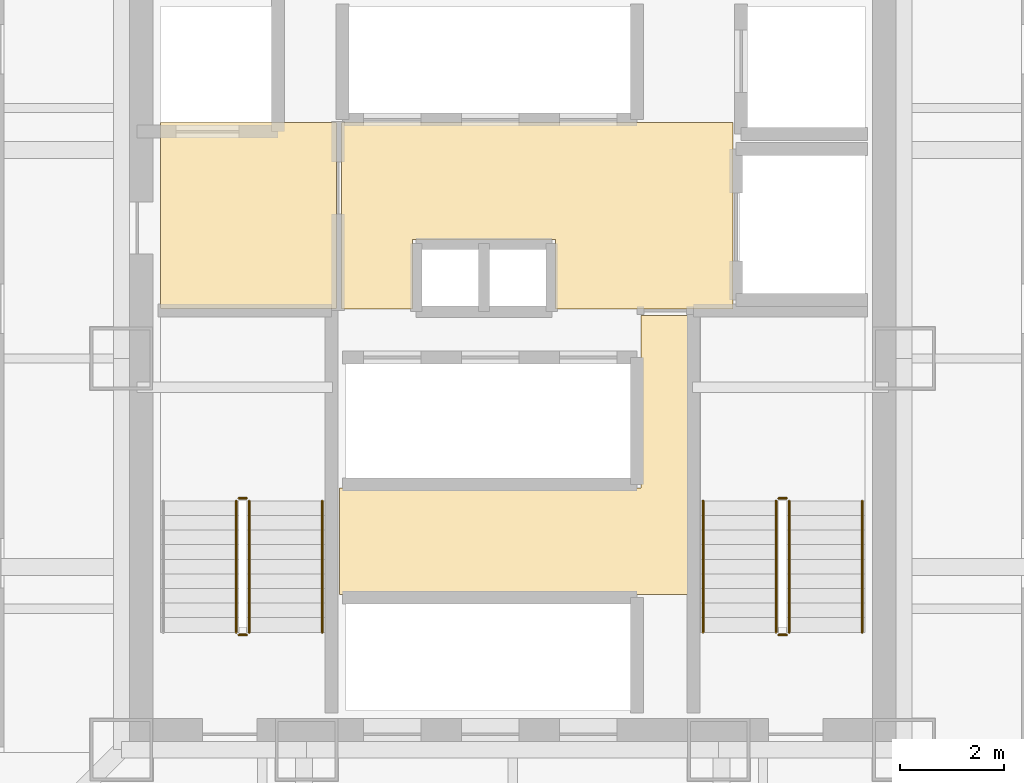
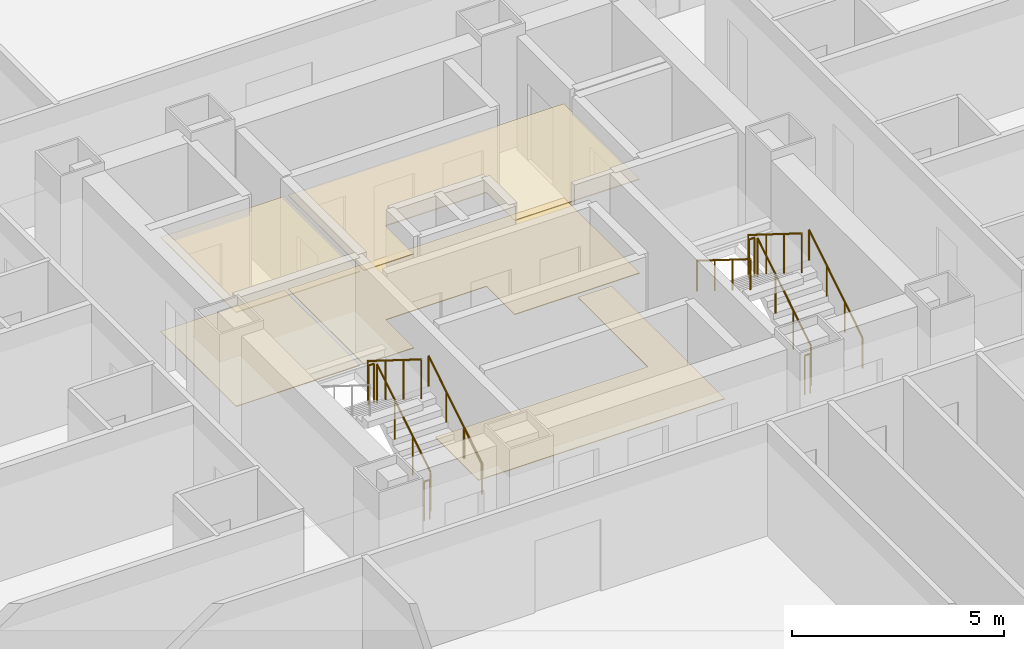
# One storey, part 15 of 16: 11 railings, 5 coverings.
"""IFC4 building model written with IfcOpenShell, lengths in metres."""

from ifc_helpers import new_model, si_unit, direction, frame, origin, origin_2d, place, context, subcontext, project, spatial, polyline, circle, outline, extrude, material, layer, layer_set, type_object, element, save


model = new_model("IFC4")

# Units and contexts
model_context = context("Model", 3, precision=1e-05, world=origin(), true_north=direction((0.0, 1.0)))
body_context = subcontext(model_context, "Body", "Model", "MODEL_VIEW")
ifc_project = project(units=[si_unit("LENGTHUNIT", "METRE"), si_unit("AREAUNIT", "SQUARE_METRE"), si_unit("VOLUMEUNIT", "CUBIC_METRE"), si_unit("PLANEANGLEUNIT", "RADIAN"), si_unit("MASSUNIT", "GRAM", prefix="KILO")], contexts=[model_context])

# Site, building, storey
site_placement = place(None, origin())
site = spatial("IfcSite", under=ifc_project, at=site_placement, CompositionType="ELEMENT")
building_placement = place(site_placement, origin())
building = spatial("IfcBuilding", under=site, at=building_placement, Name="Trevonay Congress Spire", CompositionType="ELEMENT")
storey_placement = place(building_placement, frame((0.0, 0.0, 51.5)))
storey = spatial("IfcBuildingStorey", under=building, at=storey_placement, Name="L12", CompositionType="ELEMENT", Elevation=51.5)

# Coverings
ifc_material_1 = material(Name="Acoustic Mineral Fibre Board", Category="gypsum")
ifc_layer_1 = layer(ifc_material_1, 0.02490234375, Name="Acoustic Mineral Fibre Board")
ifc_layer_set_1 = layer_set([ifc_layer_1], Name="Acoustic Mineral Fibre Board")
covering_type_1 = type_object("IfcCoveringType", Name="COV-CEIL-ACOUSTIC", PredefinedType="CEILING", material=ifc_layer_set_1)
covering_1_placement = place(storey_placement, frame((0.0, 0.0, 2.699951171875)))
element("IfcCovering", 1, at=covering_1_placement, inside=storey, type_object=covering_type_1, Name="L12 Firefighting Lift Lobby West acoustic suspended ceiling", PredefinedType="CEILING", context=body_context, shape_type="SweptSolid", body=[
    extrude(outline(polyline([(-6.75, 0.9599609375), (-3.3798828125, 0.9599609375), (-3.3798828125, 4.52001953125), (-6.75, 4.52001953125), (-6.75, 0.9599609375)])), origin(), (0.0, 0.0, 1.0), 0.025146484375),
])
covering_2_placement = place(storey_placement, frame((0.0, 0.0, 2.699951171875)))
element("IfcCovering", 2, at=covering_2_placement, inside=storey, type_object=covering_type_1, Name="L12 Central and High-Rise Passenger Lift Lobby acoustic suspended ceiling", PredefinedType="CEILING", context=body_context, shape_type="SweptSolid", body=[
    extrude(outline(polyline([(-3.280029296875, 0.949951171875), (-1.919921875, 0.949951171875), (-1.919921875, 2.280029296875), (0.820068359375, 2.280029296875), (0.820068359375, 0.949951171875), (4.219970703125, 0.949951171875), (4.219970703125, 4.52001953125), (-3.280029296875, 4.52001953125), (-3.280029296875, 0.949951171875)])), origin(), (0.0, 0.0, 1.0), 0.025146484375),
])
ifc_material_2 = material(Name="Polished Granite Floor Tile", Category="masonry")
ifc_layer_2 = layer(ifc_material_2, 0.02001953125, Name="Polished Granite Floor Tile")
ifc_layer_set_2 = layer_set([ifc_layer_2], Name="Polished Granite Floor Tile")
covering_type_2 = type_object("IfcCoveringType", Name="COV-FLOOR-STONE", PredefinedType="FLOORING", material=ifc_layer_set_2)
covering_3_placement = place(storey_placement, origin())
element("IfcCovering", 3, at=covering_3_placement, inside=storey, type_object=covering_type_2, Name="L12 Firefighting Lift Lobby West floor finish", PredefinedType="FLOORING", context=body_context, shape_type="SweptSolid", body=[
    extrude(outline(polyline([(-6.75, 0.9599609375), (-3.3798828125, 0.9599609375), (-3.3798828125, 4.52001953125), (-6.75, 4.52001953125), (-6.75, 0.9599609375)])), origin(), (0.0, 0.0, 1.0), 0.02001953125),
])
covering_4_placement = place(storey_placement, origin())
element("IfcCovering", 4, at=covering_4_placement, inside=storey, type_object=covering_type_2, Name="L12 Central and High-Rise Passenger Lift Lobby floor finish", PredefinedType="FLOORING", context=body_context, shape_type="SweptSolid", body=[
    extrude(outline(polyline([(-3.280029296875, 0.949951171875), (-1.919921875, 0.949951171875), (-1.919921875, 2.280029296875), (0.820068359375, 2.280029296875), (0.820068359375, 0.949951171875), (4.219970703125, 0.949951171875), (4.219970703125, 4.52001953125), (-3.280029296875, 4.52001953125), (-3.280029296875, 0.949951171875)])), origin(), (0.0, 0.0, 1.0), 0.02001953125),
])
covering_5_placement = place(storey_placement, origin())
element("IfcCovering", 5, at=covering_5_placement, inside=storey, type_object=covering_type_2, Name="L12 Core MEP Metering Room floor finish", PredefinedType="FLOORING", context=body_context, shape_type="SweptSolid", body=[
    extrude(outline(polyline([(-3.320068359375, -4.52001953125), (3.3798828125, -4.52001953125), (3.3798828125, 0.820068359375), (2.4599609375, 0.820068359375), (2.4599609375, -2.47998046875), (-3.320068359375, -2.47998046875), (-3.320068359375, -4.52001953125)])), origin(), (0.0, 0.0, 1.0), 0.02001953125),
])

# Railings
ifc_material_3 = material(Name="Pale Anodised Aluminium EN AW-6063-T6", Category="aluminium")
railing_type_1 = type_object("IfcRailingType", Name="RAL-STAIR-GUARD-110", PredefinedType="GUARDRAIL", material=ifc_material_3)
railing_1_placement = place(storey_placement, frame((-5.050048828125, -5.25, 0.175048828125)))
element("IfcRailing", 6, at=railing_1_placement, inside=storey, type_object=railing_type_1, Name="L12 ST-1 stair guard 1", PredefinedType="GUARDRAIL", context=body_context, shape_type="SweptSolid", body=[
    extrude(circle(Radius=0.02392578125, at=origin_2d()), frame((0.0, 0.0, 1.1259765625), z_axis=(0.0, 0.848007534815, 0.529984170421), x_axis=(-1.0, 0.0, 0.0)), (0.0, 0.0, 1.0), 2.9716796875),
    extrude(circle(Radius=0.02099609375, at=origin_2d()), origin(), (0.0, 0.0, 1.0), 1.101806640625),
    extrude(circle(Radius=0.02099609375, at=origin_2d()), frame((0.0, 0.840087890625, 0.52490234375)), (0.0, 0.0, 1.0), 1.101806640625),
    extrude(circle(Radius=0.02099609375, at=origin_2d()), frame((0.0, 1.679931640625, 1.050048828125)), (0.0, 0.0, 1.0), 1.101806640625),
    extrude(circle(Radius=0.02099609375, at=origin_2d()), frame((0.0, 2.52001953125, 1.574951171875)), (0.0, 0.0, 1.0), 1.101806640625),
])
railing_2_placement = place(storey_placement, frame((-5.10009765625, -2.679931640625, 1.75)))
element("IfcRailing", 7, at=railing_2_placement, inside=storey, type_object=railing_type_1, Name="L12 ST-1 stair guard 2", PredefinedType="GUARDRAIL", context=body_context, shape_type="SweptSolid", body=[
    extrude(circle(Radius=0.02392578125, at=origin_2d()), frame((0.0, 0.0, 1.1259765625), z_axis=(-1.0, 0.0, 0.0), x_axis=(0.0, -1.0, 0.0)), (0.0, 0.0, 1.0), 0.14990234375),
    extrude(circle(Radius=0.02099609375, at=origin_2d()), origin(), (0.0, 0.0, 1.0), 1.101806640625),
    extrude(circle(Radius=0.02099609375, at=origin_2d()), frame((-0.14990234375, 0.0, 0.0)), (0.0, 0.0, 1.0), 1.101806640625),
])
railing_3_placement = place(storey_placement, frame((-5.300048828125, -2.72998046875, 1.925048828125)))
element("IfcRailing", 8, at=railing_3_placement, inside=storey, type_object=railing_type_1, Name="L12 ST-1 stair guard 3", PredefinedType="GUARDRAIL", context=body_context, shape_type="SweptSolid", body=[
    extrude(circle(Radius=0.02392578125, at=origin_2d()), frame((0.0, 0.0, 1.1259765625), z_axis=(0.0, -0.848007534815, 0.529984170421), x_axis=(1.0, 0.0, 0.0)), (0.0, 0.0, 1.0), 2.9716796875),
    extrude(circle(Radius=0.02099609375, at=origin_2d()), origin(), (0.0, 0.0, 1.0), 1.101806640625),
    extrude(circle(Radius=0.02099609375, at=origin_2d()), frame((0.0, -0.840087890625, 0.52490234375)), (0.0, 0.0, 1.0), 1.101806640625),
    extrude(circle(Radius=0.02099609375, at=origin_2d()), frame((0.0, -1.679931640625, 1.050048828125)), (0.0, 0.0, 1.0), 1.101806640625),
    extrude(circle(Radius=0.02099609375, at=origin_2d()), frame((0.0, -2.52001953125, 1.574951171875)), (0.0, 0.0, 1.0), 1.101806640625),
])
railing_4_placement = place(storey_placement, frame((-5.10009765625, -5.300048828125, 0.0)))
element("IfcRailing", 9, at=railing_4_placement, inside=storey, type_object=railing_type_1, Name="L12 ST-1 stair guard 4", PredefinedType="GUARDRAIL", context=body_context, shape_type="SweptSolid", body=[
    extrude(circle(Radius=0.02392578125, at=origin_2d()), frame((0.0, 0.0, 1.1259765625), z_axis=(-1.0, 0.0, 0.0), x_axis=(0.0, -1.0, 0.0)), (0.0, 0.0, 1.0), 0.14990234375),
    extrude(circle(Radius=0.02099609375, at=origin_2d()), origin(), (0.0, 0.0, 1.0), 1.101806640625),
    extrude(circle(Radius=0.02099609375, at=origin_2d()), frame((-0.14990234375, 0.0, 0.0)), (0.0, 0.0, 1.0), 1.101806640625),
])
railing_5_placement = place(storey_placement, frame((5.300048828125, -5.25, 0.175048828125)))
element("IfcRailing", 10, at=railing_5_placement, inside=storey, type_object=railing_type_1, Name="L12 ST-2 stair guard 1", PredefinedType="GUARDRAIL", context=body_context, shape_type="SweptSolid", body=[
    extrude(circle(Radius=0.02392578125, at=origin_2d()), frame((0.0, 0.0, 1.1259765625), z_axis=(0.0, 0.848007534815, 0.529984170421), x_axis=(-1.0, 0.0, 0.0)), (0.0, 0.0, 1.0), 2.9716796875),
    extrude(circle(Radius=0.02099609375, at=origin_2d()), origin(), (0.0, 0.0, 1.0), 1.101806640625),
    extrude(circle(Radius=0.02099609375, at=origin_2d()), frame((0.0, 0.840087890625, 0.52490234375)), (0.0, 0.0, 1.0), 1.101806640625),
    extrude(circle(Radius=0.02099609375, at=origin_2d()), frame((0.0, 1.679931640625, 1.050048828125)), (0.0, 0.0, 1.0), 1.101806640625),
    extrude(circle(Radius=0.02099609375, at=origin_2d()), frame((0.0, 2.52001953125, 1.574951171875)), (0.0, 0.0, 1.0), 1.101806640625),
])
railing_6_placement = place(storey_placement, frame((5.25, -2.679931640625, 1.75)))
element("IfcRailing", 11, at=railing_6_placement, inside=storey, type_object=railing_type_1, Name="L12 ST-2 stair guard 2", PredefinedType="GUARDRAIL", context=body_context, shape_type="SweptSolid", body=[
    extrude(circle(Radius=0.02392578125, at=origin_2d()), frame((0.0, 0.0, 1.1259765625), z_axis=(-1.0, 0.0, 0.0), x_axis=(0.0, -1.0, 0.0)), (0.0, 0.0, 1.0), 0.14990234375),
    extrude(circle(Radius=0.02099609375, at=origin_2d()), origin(), (0.0, 0.0, 1.0), 1.101806640625),
    extrude(circle(Radius=0.02099609375, at=origin_2d()), frame((-0.14990234375, 0.0, 0.0)), (0.0, 0.0, 1.0), 1.101806640625),
])
railing_7_placement = place(storey_placement, frame((5.050048828125, -2.72998046875, 1.925048828125)))
element("IfcRailing", 12, at=railing_7_placement, inside=storey, type_object=railing_type_1, Name="L12 ST-2 stair guard 3", PredefinedType="GUARDRAIL", context=body_context, shape_type="SweptSolid", body=[
    extrude(circle(Radius=0.02392578125, at=origin_2d()), frame((0.0, 0.0, 1.1259765625), z_axis=(0.0, -0.848007534815, 0.529984170421), x_axis=(1.0, 0.0, 0.0)), (0.0, 0.0, 1.0), 2.9716796875),
    extrude(circle(Radius=0.02099609375, at=origin_2d()), origin(), (0.0, 0.0, 1.0), 1.101806640625),
    extrude(circle(Radius=0.02099609375, at=origin_2d()), frame((0.0, -0.840087890625, 0.52490234375)), (0.0, 0.0, 1.0), 1.101806640625),
    extrude(circle(Radius=0.02099609375, at=origin_2d()), frame((0.0, -1.679931640625, 1.050048828125)), (0.0, 0.0, 1.0), 1.101806640625),
    extrude(circle(Radius=0.02099609375, at=origin_2d()), frame((0.0, -2.52001953125, 1.574951171875)), (0.0, 0.0, 1.0), 1.101806640625),
])
railing_8_placement = place(storey_placement, frame((5.25, -5.300048828125, 0.0)))
element("IfcRailing", 13, at=railing_8_placement, inside=storey, type_object=railing_type_1, Name="L12 ST-2 stair guard 4", PredefinedType="GUARDRAIL", context=body_context, shape_type="SweptSolid", body=[
    extrude(circle(Radius=0.02392578125, at=origin_2d()), frame((0.0, 0.0, 1.1259765625), z_axis=(-1.0, 0.0, 0.0), x_axis=(0.0, -1.0, 0.0)), (0.0, 0.0, 1.0), 0.14990234375),
    extrude(circle(Radius=0.02099609375, at=origin_2d()), origin(), (0.0, 0.0, 1.0), 1.101806640625),
    extrude(circle(Radius=0.02099609375, at=origin_2d()), frame((-0.14990234375, 0.0, 0.0)), (0.0, 0.0, 1.0), 1.101806640625),
])
railing_type_2 = type_object("IfcRailingType", Name="RAL-STAIR-HANDRAIL", PredefinedType="HANDRAIL", material=ifc_material_3)
for number, where, name in (
    (14, (-3.64990234375, -5.25, 0.175048828125), "L12 ST-1 stair handrail 1"),
    (15, (6.699951171875, -5.25, 0.175048828125), "L12 ST-2 stair handrail 1"),
):
    element("IfcRailing", number, at=place(storey_placement, frame(where)), inside=storey, type_object=railing_type_2, Name=name, PredefinedType="HANDRAIL", context=body_context, shape_type="SweptSolid", body=[
        extrude(circle(Radius=0.02392578125, at=origin_2d()), frame((0.0, 0.0, 0.8759765625), z_axis=(0.0, 0.848007534815, 0.529984170421), x_axis=(-1.0, 0.0, 0.0)), (0.0, 0.0, 1.0), 2.9716796875),
        extrude(circle(Radius=0.02099609375, at=origin_2d()), origin(), (0.0, 0.0, 1.0), 0.851806640625),
        extrude(circle(Radius=0.02099609375, at=origin_2d()), frame((0.0, 0.840087890625, 0.52490234375)), (0.0, 0.0, 1.0), 0.851806640625),
        extrude(circle(Radius=0.02099609375, at=origin_2d()), frame((0.0, 1.679931640625, 1.050048828125)), (0.0, 0.0, 1.0), 0.851806640625),
        extrude(circle(Radius=0.02099609375, at=origin_2d()), frame((0.0, 2.52001953125, 1.574951171875)), (0.0, 0.0, 1.0), 0.851806640625),
    ])
railing_9_placement = place(storey_placement, frame((3.64990234375, -2.72998046875, 1.925048828125)))
element("IfcRailing", 16, at=railing_9_placement, inside=storey, type_object=railing_type_2, Name="L12 ST-2 stair handrail 2", PredefinedType="HANDRAIL", context=body_context, shape_type="SweptSolid", body=[
    extrude(circle(Radius=0.02392578125, at=origin_2d()), frame((0.0, 0.0, 0.8759765625), z_axis=(0.0, -0.848007534815, 0.529984170421), x_axis=(1.0, 0.0, 0.0)), (0.0, 0.0, 1.0), 2.9716796875),
    extrude(circle(Radius=0.02099609375, at=origin_2d()), origin(), (0.0, 0.0, 1.0), 0.851806640625),
    extrude(circle(Radius=0.02099609375, at=origin_2d()), frame((0.0, -0.840087890625, 0.52490234375)), (0.0, 0.0, 1.0), 0.851806640625),
    extrude(circle(Radius=0.02099609375, at=origin_2d()), frame((0.0, -1.679931640625, 1.050048828125)), (0.0, 0.0, 1.0), 0.851806640625),
    extrude(circle(Radius=0.02099609375, at=origin_2d()), frame((0.0, -2.52001953125, 1.574951171875)), (0.0, 0.0, 1.0), 0.851806640625),
])

save(model, "model.ifc")
